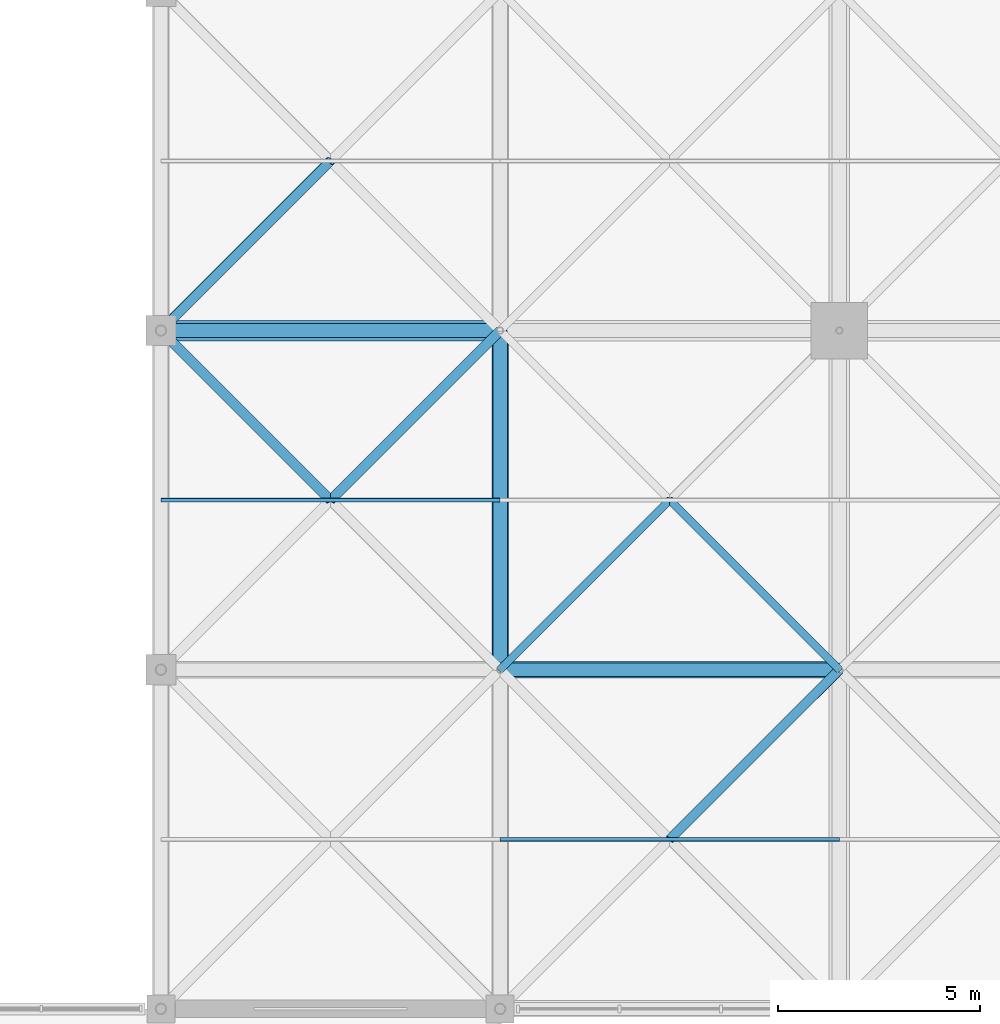
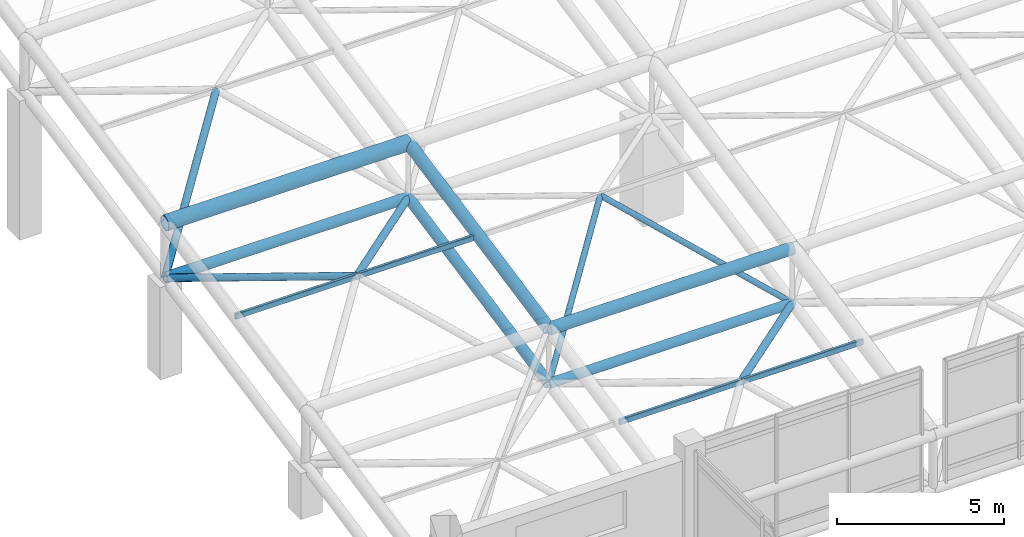
# One storey, part 24 of 110: 14 members.
"""IFC4 building model written with IfcOpenShell, lengths in metres."""

from ifc_helpers import new_model, si_unit, direction, frame, origin, origin_2d, place, context, subcontext, project, spatial, hollow_rectangle, hollow_circle, extrude, material, material_profile, profile_set, type_object, element, save


model = new_model("IFC4")

# Units and contexts
model_context = context("Model", 3, precision=1e-05, world=origin(), true_north=direction((0.0, 1.0)))
body_context = subcontext(model_context, "Body", "Model", "MODEL_VIEW")
ifc_project = project(units=[si_unit("LENGTHUNIT", "METRE"), si_unit("AREAUNIT", "SQUARE_METRE"), si_unit("VOLUMEUNIT", "CUBIC_METRE"), si_unit("PLANEANGLEUNIT", "RADIAN"), si_unit("MASSUNIT", "GRAM", prefix="KILO")], contexts=[model_context])

# Site, building, storey
site_placement = place(None, origin())
site = spatial("IfcSite", under=ifc_project, at=site_placement, CompositionType="ELEMENT")
building_placement = place(site_placement, origin())
building = spatial("IfcBuilding", under=site, at=building_placement, Name="Qawsi Khor Wholesale Market", CompositionType="ELEMENT")
storey_placement = place(building_placement, frame((0.0, 0.0, 11.39990234375)))
storey = spatial("IfcBuildingStorey", under=building, at=storey_placement, Name="L02", CompositionType="ELEMENT", Elevation=11.39990234375)

# Members
ifc_material = material(Name="Steel S355", Category="steel")
ifc_material_profile_1 = material_profile(ifc_material, hollow_circle(Radius=0.177734375, WallThickness=0.01611328125, at=origin_2d()), Name="CHS 355.6x16.0")
ifc_profile_set_1 = profile_set([ifc_material_profile_1], Name="Steel S355")
member_type_1 = type_object("IfcMemberType", Name="Space-Frame Bottom Chord CHS 355.6x16.0", PredefinedType="CHORD", material=ifc_profile_set_1)
member_1_placement = place(storey_placement, frame((142.800048828125, 58.800048828125, 3.3701171875), z_axis=(1.0, 0.0, 0.0), x_axis=(0.0, 1.0, 0.0)))
element("IfcMember", 1, at=member_1_placement, inside=storey, type_object=member_type_1, Name="Space frame bottom chord X EH (17,7)", PredefinedType="CHORD", context=body_context, shape_type="SweptSolid", body=[
    extrude(hollow_circle(Radius=0.177734375, WallThickness=0.01611328125, at=origin_2d()), origin(), (0.0, 0.0, 1.0), 8.39990234375),
])
member_2_placement = place(storey_placement, frame((151.199951171875, 50.39990234375, 1.670166015625), z_axis=(0.0, 0.98013111127, 0.198350711418), x_axis=(-1.0, 0.0, 0.0)))
element("IfcMember", 2, at=member_2_placement, inside=storey, type_object=member_type_1, Name="Space frame bottom chord Y EH (18,6)", PredefinedType="CHORD", context=body_context, shape_type="SweptSolid", body=[
    extrude(hollow_circle(Radius=0.177734375, WallThickness=0.01611328125, at=origin_2d()), origin(), (0.0, 0.0, 1.0), 8.5703125),
])
ifc_material_profile_2 = material_profile(ifc_material, hollow_circle(Radius=0.122314453125, WallThickness=0.012451171875, at=origin_2d()), Name="CHS 244.5x12.5")
ifc_profile_set_2 = profile_set([ifc_material_profile_2], Name="Steel S355")
member_type_2 = type_object("IfcMemberType", Name="Space-Frame Heavy Diagonal CHS 244.5x12.5", PredefinedType="POST", material=ifc_profile_set_2)
for number, where, z_axis, x_axis, name in (
    (3, (151.199951171875, 58.800048828125, 3.3701171875), (-0.694216714393, -0.694216714393, 0.190069216113), (0.707106781187, -0.707106781187, 0.0), "Space frame diagonal EH (17,6)-3"),
    (4, (142.800048828125, 58.800048828125, 3.3701171875), (0.694216714393, -0.694216714393, 0.190069216113), (0.707106781187, 0.707106781187, 0.0), "Space frame diagonal EH (17,6)-4"),
):
    element("IfcMember", number, at=place(storey_placement, frame(where, z_axis=z_axis, x_axis=x_axis)), inside=storey, type_object=member_type_2, Name=name, PredefinedType="POST", context=body_context, shape_type="SweptSolid", body=[
        extrude(hollow_circle(Radius=0.122314453125, WallThickness=0.012451171875, at=origin_2d()), origin(), (0.0, 0.0, 1.0), 6.0498046875),
    ])
member_3_placement = place(storey_placement, frame((142.800048828125, 58.800048828125, 3.3701171875), z_axis=(0.637511741089, 0.637511741089, 0.432617105474), x_axis=(-0.707106781187, 0.707106781187, 0.0)))
element("IfcMember", 5, at=member_3_placement, inside=storey, type_object=member_type_2, Name="Space frame diagonal EH (17,7)-1", PredefinedType="POST", context=body_context, shape_type="SweptSolid", body=[
    extrude(hollow_circle(Radius=0.122314453125, WallThickness=0.012451171875, at=origin_2d()), origin(), (0.0, 0.0, 1.0), 6.588134765625),
])
member_4_placement = place(storey_placement, frame((159.60009765625, 50.39990234375, 1.670166015625), z_axis=(-0.694237619642, -0.694197266374, 0.19006389145), x_axis=(0.70708622964, -0.707127332136, 0.0)))
element("IfcMember", 6, at=member_4_placement, inside=storey, type_object=member_type_2, Name="Space frame diagonal EH (18,5)-3", PredefinedType="POST", context=body_context, shape_type="SweptSolid", body=[
    extrude(hollow_circle(Radius=0.122314453125, WallThickness=0.012451171875, at=origin_2d()), origin(), (0.0, 0.0, 1.0), 6.050048828125),
])
ifc_material_profile_3 = material_profile(ifc_material, hollow_circle(Radius=0.25390625, WallThickness=0.02490234375, at=origin_2d()), Name="CHS 508.0x25.0")
ifc_profile_set_3 = profile_set([ifc_material_profile_3], Name="Steel S355")
member_type_3 = type_object("IfcMemberType", Name="Space-Frame Main Chord CHS 508.0x25.0", PredefinedType="CHORD", material=ifc_profile_set_3)
member_5_placement = place(storey_placement, frame((142.800048828125, 58.800048828125, 5.3701171875), z_axis=(1.0, 0.0, 0.0), x_axis=(0.0, 1.0, 0.0)))
element("IfcMember", 7, at=member_5_placement, inside=storey, type_object=member_type_3, Name="Space frame top chord X EH (17,7)", PredefinedType="CHORD", context=body_context, shape_type="SweptSolid", body=[
    extrude(hollow_circle(Radius=0.25390625, WallThickness=0.02490234375, at=origin_2d()), origin(), (0.0, 0.0, 1.0), 8.39990234375),
])
ifc_material_profile_4 = material_profile(ifc_material, hollow_rectangle(XDim=0.10009765625, YDim=0.199951171875, WallThickness=0.008056640625, InnerFilletRadius=0.008056640625, OuterFilletRadius=0.01611328125, at=origin_2d()), Name="RHS 200x100x8.0")
ifc_profile_set_4 = profile_set([ifc_material_profile_4], Name="Steel S355")
member_type_4 = type_object("IfcMemberType", Name="Space-Frame Purlin RHS 200x100x8.0", PredefinedType="PURLIN", material=ifc_profile_set_4)
member_6_placement = place(storey_placement, frame((142.800048828125, 54.60009765625, 4.52001953125), z_axis=(1.0, 0.0, 0.0), x_axis=(0.0, 1.0, 0.0)))
element("IfcMember", 8, at=member_6_placement, inside=storey, type_object=member_type_4, Name="Space frame purlin EH (17,6)", PredefinedType="PURLIN", context=body_context, shape_type="SweptSolid", body=[
    extrude(hollow_rectangle(XDim=0.10009765625, YDim=0.199951171875, WallThickness=0.008056640625, InnerFilletRadius=0.008056640625, OuterFilletRadius=0.01611328125, at=origin_2d()), origin(), (0.0, 0.0, 1.0), 8.39990234375),
])
member_7_placement = place(storey_placement, frame((151.199951171875, 46.199951171875, 2.820068359375), z_axis=(1.0, 0.0, 0.0), x_axis=(0.0, 1.0, 0.0)))
element("IfcMember", 9, at=member_7_placement, inside=storey, type_object=member_type_4, Name="Space frame purlin EH (18,5)", PredefinedType="PURLIN", context=body_context, shape_type="SweptSolid", body=[
    extrude(hollow_rectangle(XDim=0.10009765625, YDim=0.199951171875, WallThickness=0.008056640625, InnerFilletRadius=0.008056640625, OuterFilletRadius=0.01611328125, at=origin_2d()), origin(), (0.0, 0.0, 1.0), 8.400146484375),
])
ifc_material_profile_5 = material_profile(ifc_material, hollow_circle(Radius=0.161865234375, WallThickness=0.01611328125, at=origin_2d()), Name="CHS 323.9x16.0")
ifc_profile_set_5 = profile_set([ifc_material_profile_5], Name="Steel S355")
member_type_5 = type_object("IfcMemberType", Name="Space-Frame Secondary Chord CHS 323.9x16.0", PredefinedType="CHORD", material=ifc_profile_set_5)
member_8_placement = place(storey_placement, frame((151.199951171875, 50.39990234375, 1.670166015625), z_axis=(1.0, 0.0, 0.0), x_axis=(0.0, 1.0, 0.0)))
element("IfcMember", 10, at=member_8_placement, inside=storey, type_object=member_type_5, Name="Space frame bottom chord X EH (18,6)", PredefinedType="CHORD", context=body_context, shape_type="SweptSolid", body=[
    extrude(hollow_circle(Radius=0.161865234375, WallThickness=0.01611328125, at=origin_2d()), origin(), (0.0, 0.0, 1.0), 8.400146484375),
])
ifc_material_profile_6 = material_profile(ifc_material, hollow_circle(Radius=0.096923828125, WallThickness=0.008056640625, at=origin_2d()), Name="CHS 193.7x8.0")
ifc_profile_set_6 = profile_set([ifc_material_profile_6], Name="Steel S355")
member_type_6 = type_object("IfcMemberType", Name="Space-Frame Secondary Diagonal CHS 193.7x8.0", PredefinedType="RAFTER", material=ifc_profile_set_6)
for number, where, z_axis, x_axis, name in (
    (11, (151.199951171875, 50.39990234375, 1.670166015625), (0.637506899628, 0.637543957519, 0.432576762155), (-0.707127332136, 0.70708622964, 0.0), "Space frame diagonal EH (18,6)-1"),
    (12, (159.60009765625, 50.39990234375, 1.670166015625), (-0.637528895855, 0.637528895855, 0.432566542741), (-0.707106781187, -0.707106781187, 0.0), "Space frame diagonal EH (18,6)-2"),
):
    element("IfcMember", number, at=place(storey_placement, frame(where, z_axis=z_axis, x_axis=x_axis)), inside=storey, type_object=member_type_6, Name=name, PredefinedType="RAFTER", context=body_context, shape_type="SweptSolid", body=[
        extrude(hollow_circle(Radius=0.096923828125, WallThickness=0.008056640625, at=origin_2d()), origin(), (0.0, 0.0, 1.0), 6.588134765625),
    ])
ifc_material_profile_7 = material_profile(ifc_material, hollow_circle(Radius=0.203125, WallThickness=0.02001953125, at=origin_2d()), Name="CHS 406.4x20.0")
ifc_profile_set_7 = profile_set([ifc_material_profile_7], Name="Steel S355")
member_type_7 = type_object("IfcMemberType", Name="Space-Frame Top Chord CHS 406.4x20.0", PredefinedType="CHORD", material=ifc_profile_set_7)
member_9_placement = place(storey_placement, frame((151.199951171875, 50.39990234375, 3.670166015625), z_axis=(1.0, 0.0, 0.0), x_axis=(0.0, 1.0, 0.0)))
element("IfcMember", 13, at=member_9_placement, inside=storey, type_object=member_type_7, Name="Space frame top chord X EH (18,6)", PredefinedType="CHORD", context=body_context, shape_type="SweptSolid", body=[
    extrude(hollow_circle(Radius=0.203125, WallThickness=0.02001953125, at=origin_2d()), origin(), (0.0, 0.0, 1.0), 8.400146484375),
])
member_10_placement = place(storey_placement, frame((151.199951171875, 50.39990234375, 3.670166015625), z_axis=(0.0, 0.98013111127, 0.198350711418), x_axis=(-1.0, 0.0, 0.0)))
element("IfcMember", 14, at=member_10_placement, inside=storey, type_object=member_type_7, Name="Space frame top chord Y EH (18,6)", PredefinedType="CHORD", context=body_context, shape_type="SweptSolid", body=[
    extrude(hollow_circle(Radius=0.203125, WallThickness=0.02001953125, at=origin_2d()), origin(), (0.0, 0.0, 1.0), 8.5703125),
])

save(model, "model.ifc")
